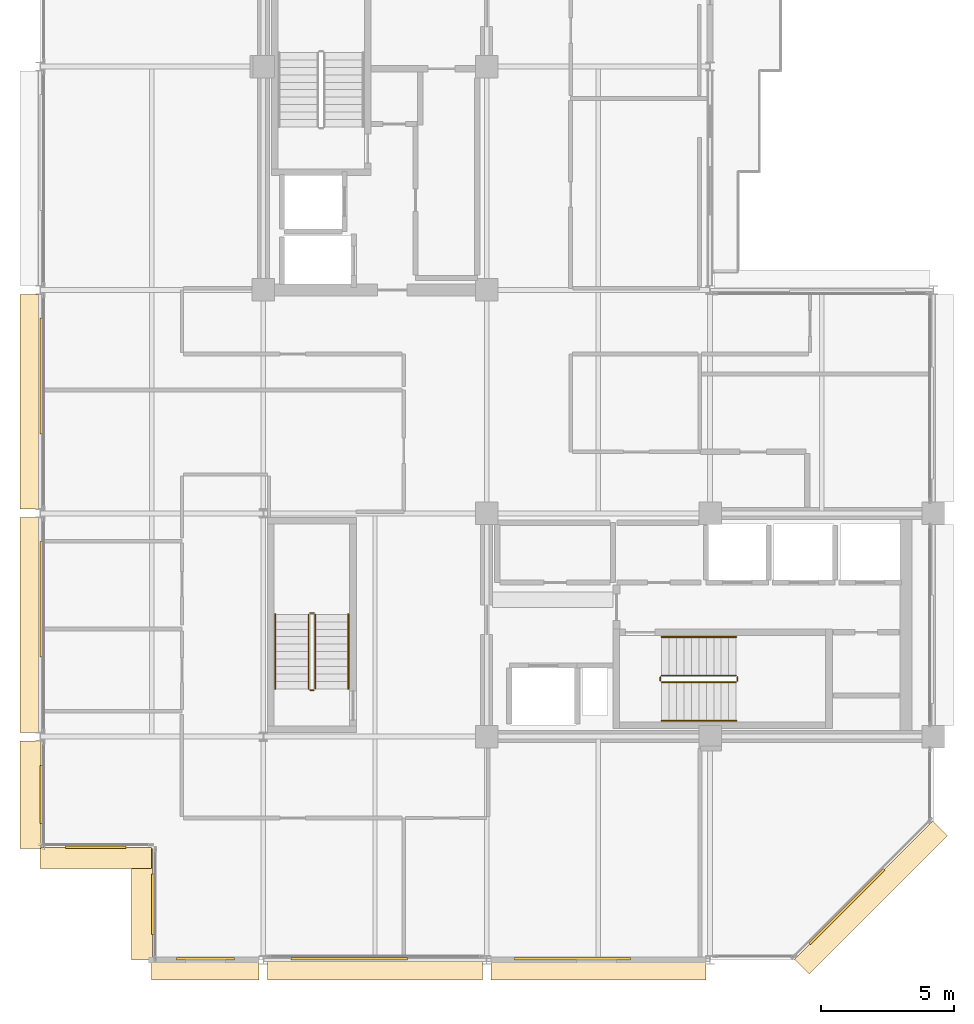
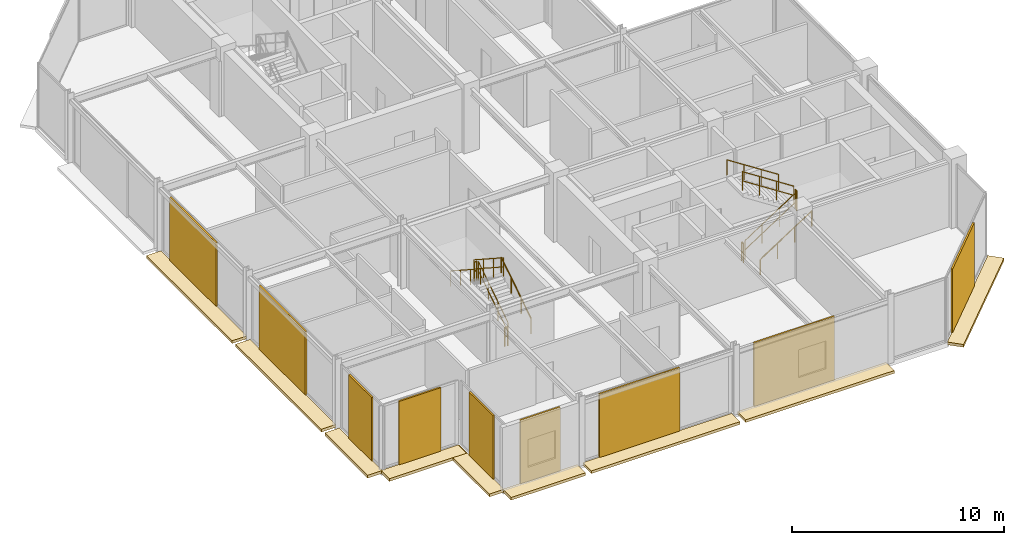
# One storey, part 23 of 25: 18 coverings, 12 railings.
"""IFC4 building model written with IfcOpenShell, lengths in metres."""

from ifc_helpers import new_model, si_unit, direction, frame, origin, origin_2d, place, context, subcontext, project, spatial, polyline, rectangle, circle, outline, extrude, material, layer, layer_set, type_object, element, save


model = new_model("IFC4")

# Units and contexts
model_context = context("Model", 3, precision=1e-05, world=origin(), true_north=direction((0.0, 1.0)))
body_context = subcontext(model_context, "Body", "Model", "MODEL_VIEW")
ifc_project = project(units=[si_unit("LENGTHUNIT", "METRE"), si_unit("AREAUNIT", "SQUARE_METRE"), si_unit("VOLUMEUNIT", "CUBIC_METRE"), si_unit("PLANEANGLEUNIT", "RADIAN"), si_unit("MASSUNIT", "GRAM", prefix="KILO")], contexts=[model_context])

# Site, building, storey
site_placement = place(None, origin())
site = spatial("IfcSite", under=ifc_project, at=site_placement, CompositionType="ELEMENT")
building_placement = place(site_placement, origin())
building = spatial("IfcBuilding", under=site, at=building_placement, Name="Nerrivon Quay Data Exchange", CompositionType="ELEMENT")
storey_placement = place(building_placement, frame((0.0, 0.0, 318.199951171875)))
storey = spatial("IfcBuildingStorey", under=building, at=storey_placement, Name="L76", CompositionType="ELEMENT", Elevation=318.199951171875)

# Coverings
ifc_material_1 = material(Name="Architectural terracotta ceramic", Category="masonry")
ifc_layer_1 = layer(ifc_material_1, 0.159912109375)
ifc_layer_set_1 = layer_set([ifc_layer_1], Name="Architectural terracotta ceramic")
covering_type_1 = type_object("IfcCoveringType", Name="COV-BLD-TERR", PredefinedType="CLADDING", material=ifc_layer_set_1)
covering_1_placement = place(storey_placement, frame((0.0, 0.0, -0.159912109375)))
element("IfcCovering", 1, at=covering_1_placement, inside=storey, type_object=covering_type_1, Name="L76 Horizontal Terracotta SOLAR SCREEN Blade", PredefinedType="CLADDING", context=body_context, shape_type="SweptSolid", body=[
    extrude(outline(polyline([(33.57177734375, 5.228271484375), (28.37158203125, 0.0283203125), (28.930419921875, -0.5302734375), (34.13037109375, 4.669677734375), (33.57177734375, 5.228271484375)])), origin(), (0.0, 0.0, 1.0), 0.159912109375),
])
covering_2_placement = place(storey_placement, frame((0.0, 0.0, -0.159912109375)))
element("IfcCovering", 2, at=covering_2_placement, inside=storey, type_object=covering_type_1, Name="L76 Horizontal Terracotta SOLAR SCREEN Blade", PredefinedType="CLADDING", context=body_context, shape_type="SweptSolid", body=[
    extrude(outline(polyline([(25.04443359375, 0.0400390625), (16.95556640625, 0.0400390625), (16.95556640625, -0.75), (25.04443359375, -0.75), (25.04443359375, 0.0400390625)])), origin(), (0.0, 0.0, 1.0), 0.159912109375),
])
covering_3_placement = place(storey_placement, frame((0.0, 0.0, -0.159912109375)))
element("IfcCovering", 3, at=covering_3_placement, inside=storey, type_object=covering_type_1, Name="L76 Horizontal Terracotta SOLAR SCREEN Blade", PredefinedType="CLADDING", context=body_context, shape_type="SweptSolid", body=[
    extrude(outline(polyline([(16.64453125, 0.0400390625), (8.555419921875, 0.0400390625), (8.555419921875, -0.75), (16.64453125, -0.75), (16.64453125, 0.0400390625)])), origin(), (0.0, 0.0, 1.0), 0.159912109375),
])
covering_4_placement = place(storey_placement, frame((0.0, 0.0, -0.159912109375)))
element("IfcCovering", 4, at=covering_4_placement, inside=storey, type_object=covering_type_1, Name="L76 Horizontal Terracotta SOLAR SCREEN Blade", PredefinedType="CLADDING", context=body_context, shape_type="SweptSolid", body=[
    extrude(outline(polyline([(8.244384765625, 0.0400390625), (4.199951171875, 0.0400390625), (4.199951171875, -0.75), (8.244384765625, -0.75), (8.244384765625, 0.0400390625)])), origin(), (0.0, 0.0, 1.0), 0.159912109375),
])
covering_5_placement = place(storey_placement, frame((0.0, 0.0, -0.159912109375)))
element("IfcCovering", 5, at=covering_5_placement, inside=storey, type_object=covering_type_1, Name="L76 Horizontal Terracotta SOLAR SCREEN Blade", PredefinedType="CLADDING", context=body_context, shape_type="SweptSolid", body=[
    extrude(outline(polyline([(4.239990234375, 0.0), (4.239990234375, 4.199951171875), (3.449951171875, 4.199951171875), (3.449951171875, 0.0), (4.239990234375, 0.0)])), origin(), (0.0, 0.0, 1.0), 0.159912109375),
])
covering_6_placement = place(storey_placement, frame((0.0, 0.0, -0.159912109375)))
element("IfcCovering", 6, at=covering_6_placement, inside=storey, type_object=covering_type_1, Name="L76 Horizontal Terracotta SOLAR SCREEN Blade", PredefinedType="CLADDING", context=body_context, shape_type="SweptSolid", body=[
    extrude(outline(polyline([(4.199951171875, 4.239990234375), (0.0, 4.239990234375), (0.0, 3.449951171875), (4.199951171875, 3.449951171875), (4.199951171875, 4.239990234375)])), origin(), (0.0, 0.0, 1.0), 0.159912109375),
])
covering_7_placement = place(storey_placement, frame((0.0, 0.0, -0.159912109375)))
element("IfcCovering", 7, at=covering_7_placement, inside=storey, type_object=covering_type_1, Name="L76 Horizontal Terracotta SOLAR SCREEN Blade", PredefinedType="CLADDING", context=body_context, shape_type="SweptSolid", body=[
    extrude(outline(polyline([(0.0400390625, 4.199951171875), (0.0400390625, 8.236572265625), (-0.75, 8.236572265625), (-0.75, 4.199951171875), (0.0400390625, 4.199951171875)])), origin(), (0.0, 0.0, 1.0), 0.159912109375),
])
covering_8_placement = place(storey_placement, frame((0.0, 0.0, -0.159912109375)))
element("IfcCovering", 8, at=covering_8_placement, inside=storey, type_object=covering_type_1, Name="L76 Horizontal Terracotta SOLAR SCREEN Blade", PredefinedType="CLADDING", context=body_context, shape_type="SweptSolid", body=[
    extrude(outline(polyline([(0.0400390625, 8.5634765625), (0.0400390625, 16.636474609375), (-0.75, 16.636474609375), (-0.75, 8.5634765625), (0.0400390625, 8.5634765625)])), origin(), (0.0, 0.0, 1.0), 0.159912109375),
])
covering_9_placement = place(storey_placement, frame((0.0, 0.0, -0.159912109375)))
element("IfcCovering", 9, at=covering_9_placement, inside=storey, type_object=covering_type_1, Name="L76 Horizontal Terracotta SOLAR SCREEN Blade", PredefinedType="CLADDING", context=body_context, shape_type="SweptSolid", body=[
    extrude(outline(polyline([(0.0400390625, 16.96337890625), (0.0400390625, 25.03662109375), (-0.75, 25.03662109375), (-0.75, 16.96337890625), (0.0400390625, 16.96337890625)])), origin(), (0.0, 0.0, 1.0), 0.159912109375),
])
ifc_layer_2 = layer(ifc_material_1, 0.090087890625)
ifc_layer_set_2 = layer_set([ifc_layer_2], Name="Architectural terracotta ceramic")
covering_type_2 = type_object("IfcCoveringType", Name="COV-SCR-TERR", PredefinedType="CLADDING", material=ifc_layer_set_2)
covering_10_placement = place(storey_placement, frame((30.34423828125, 2.0078125, 0.0), z_axis=(0.0, 0.0, 1.0), x_axis=(-0.707106781187, -0.707106781187, 0.0)))
element("IfcCovering", 10, at=covering_10_placement, inside=storey, type_object=covering_type_2, Name="L76 Perforated Terracotta SOLAR SCREEN Cassette", PredefinedType="CLADDING", context=body_context, shape_type="SweptSolid", body=[
    extrude(rectangle(XDim=3.970947265625, YDim=0.090087890625, at=origin_2d()), origin(), (0.0, 0.0, 1.0), 3.64990234375),
])
for number, where, z_axis, x_axis, name in (
    (11, (20.029296875, 0.044921875, 0.0), (0.0, 0.0, 1.0), (-1.0, 0.0, 0.0), "L76 Perforated Terracotta SOLAR SCREEN Cassette"),
    (12, (11.62939453125, 0.044921875, 0.0), (0.0, 0.0, 1.0), (-1.0, 0.0, 0.0), "L76 Perforated Terracotta SOLAR SCREEN Cassette"),
):
    element("IfcCovering", number, at=place(storey_placement, frame(where, z_axis=z_axis, x_axis=x_axis)), inside=storey, type_object=covering_type_2, Name=name, PredefinedType="CLADDING", context=body_context, shape_type="SweptSolid", body=[
        extrude(rectangle(XDim=4.367919921875, YDim=0.090087890625, at=origin_2d()), origin(), (0.0, 0.0, 1.0), 3.64990234375),
    ])
covering_11_placement = place(storey_placement, frame((6.222412109375, 0.044921875, 0.0), z_axis=(0.0, 0.0, 1.0), x_axis=(-1.0, 0.0, 0.0)))
element("IfcCovering", 13, at=covering_11_placement, inside=storey, type_object=covering_type_2, Name="L76 Perforated Terracotta SOLAR SCREEN Cassette", PredefinedType="CLADDING", context=body_context, shape_type="SweptSolid", body=[
    extrude(rectangle(XDim=2.18408203125, YDim=0.090087890625, at=origin_2d()), origin(), (0.0, 0.0, 1.0), 3.64990234375),
])
for number, where, z_axis, x_axis, name in (
    (14, (4.2451171875, 2.10009765625, 0.0), (0.0, 0.0, 1.0), (0.0, 1.0, 0.0), "L76 Perforated Terracotta SOLAR SCREEN Cassette"),
    (15, (2.10009765625, 4.2451171875, 0.0), (0.0, 0.0, 1.0), (-1.0, 0.0, 0.0), "L76 Perforated Terracotta SOLAR SCREEN Cassette"),
):
    element("IfcCovering", number, at=place(storey_placement, frame(where, z_axis=z_axis, x_axis=x_axis)), inside=storey, type_object=covering_type_2, Name=name, PredefinedType="CLADDING", context=body_context, shape_type="SweptSolid", body=[
        extrude(rectangle(XDim=2.26806640625, YDim=0.090087890625, at=origin_2d()), origin(), (0.0, 0.0, 1.0), 3.64990234375),
    ])
covering_12_placement = place(storey_placement, frame((0.044921875, 6.21826171875, 0.0), z_axis=(0.0, 0.0, 1.0), x_axis=(0.0, 1.0, 0.0)))
element("IfcCovering", 16, at=covering_12_placement, inside=storey, type_object=covering_type_2, Name="L76 Perforated Terracotta SOLAR SCREEN Cassette", PredefinedType="CLADDING", context=body_context, shape_type="SweptSolid", body=[
    extrude(rectangle(XDim=2.179931640625, YDim=0.090087890625, at=origin_2d()), origin(), (0.0, 0.0, 1.0), 3.64990234375),
])
for number, where, z_axis, x_axis, name in (
    (17, (0.044921875, 13.56884765625, 0.0), (0.0, 0.0, 1.0), (0.0, 1.0, 0.0), "L76 Perforated Terracotta SOLAR SCREEN Cassette"),
    (18, (0.044921875, 21.96875, 0.0), (0.0, 0.0, 1.0), (0.0, 1.0, 0.0), "L76 Perforated Terracotta SOLAR SCREEN Cassette"),
):
    element("IfcCovering", number, at=place(storey_placement, frame(where, z_axis=z_axis, x_axis=x_axis)), inside=storey, type_object=covering_type_2, Name=name, PredefinedType="CLADDING", context=body_context, shape_type="SweptSolid", body=[
        extrude(rectangle(XDim=4.35888671875, YDim=0.090087890625, at=origin_2d()), origin(), (0.0, 0.0, 1.0), 3.64990234375),
    ])

# Railings
ifc_material_2 = material(Name="Steel Grade C350L0 (350 MPa)", Category="steel")
railing_type_1 = type_object("IfcRailingType", Name="RAIL-HAND-HR1", PredefinedType="HANDRAIL", material=ifc_material_2)
railing_1_placement = place(storey_placement, frame((23.3798828125, 9.0, 0.181884765625)))
element("IfcRailing", 19, at=railing_1_placement, inside=storey, type_object=railing_type_1, Name="L76 ST02 stair handrail 1", PredefinedType="HANDRAIL", context=body_context, shape_type="SweptSolid", body=[
    extrude(circle(Radius=0.02392578125, at=origin_2d()), frame((0.0, 0.0, 0.8759765625), z_axis=(0.838705829183, 0.0, 0.544584733623), x_axis=(0.0, 1.0, 0.0)), (0.0, 0.0, 1.0), 3.338623046875),
    extrude(circle(Radius=0.02099609375, at=origin_2d()), origin(), (0.0, 0.0, 1.0), 0.851806640625),
    extrude(circle(Radius=0.02099609375, at=origin_2d()), frame((0.933349609375, 0.0, 0.60595703125)), (0.0, 0.0, 1.0), 0.851806640625),
    extrude(circle(Radius=0.02099609375, at=origin_2d()), frame((1.86669921875, 0.0, 1.212158203125)), (0.0, 0.0, 1.0), 0.851806640625),
    extrude(circle(Radius=0.02099609375, at=origin_2d()), frame((2.800048828125, 0.0, 1.818115234375)), (0.0, 0.0, 1.0), 0.851806640625),
])
railing_2_placement = place(storey_placement, frame((26.179931640625, 12.14990234375, 2.181884765625)))
element("IfcRailing", 20, at=railing_2_placement, inside=storey, type_object=railing_type_1, Name="L76 ST02 stair handrail 2", PredefinedType="HANDRAIL", context=body_context, shape_type="SweptSolid", body=[
    extrude(circle(Radius=0.02392578125, at=origin_2d()), frame((0.0, 0.0, 0.8759765625), z_axis=(-0.838705829183, 0.0, 0.544584733623), x_axis=(0.0, -1.0, 0.0)), (0.0, 0.0, 1.0), 3.338623046875),
    extrude(circle(Radius=0.02099609375, at=origin_2d()), origin(), (0.0, 0.0, 1.0), 0.851806640625),
    extrude(circle(Radius=0.02099609375, at=origin_2d()), frame((-0.933349609375, 0.0, 0.60595703125)), (0.0, 0.0, 1.0), 0.851806640625),
    extrude(circle(Radius=0.02099609375, at=origin_2d()), frame((-1.86669921875, 0.0, 1.212158203125)), (0.0, 0.0, 1.0), 0.851806640625),
    extrude(circle(Radius=0.02099609375, at=origin_2d()), frame((-2.800048828125, 0.0, 1.818115234375)), (0.0, 0.0, 1.0), 0.851806640625),
])
railing_3_placement = place(storey_placement, frame((11.60009765625, 10.199951171875, 0.181884765625)))
element("IfcRailing", 21, at=railing_3_placement, inside=storey, type_object=railing_type_1, Name="L76 ST08 stair handrail 1", PredefinedType="HANDRAIL", context=body_context, shape_type="SweptSolid", body=[
    extrude(circle(Radius=0.02392578125, at=origin_2d()), frame((0.0, 0.0, 0.8759765625), z_axis=(0.0, 0.838705829183, 0.544584733623), x_axis=(-1.0, 0.0, 0.0)), (0.0, 0.0, 1.0), 3.338623046875),
    extrude(circle(Radius=0.02099609375, at=origin_2d()), origin(), (0.0, 0.0, 1.0), 0.851806640625),
    extrude(circle(Radius=0.02099609375, at=origin_2d()), frame((0.0, 0.933349609375, 0.60595703125)), (0.0, 0.0, 1.0), 0.851806640625),
    extrude(circle(Radius=0.02099609375, at=origin_2d()), frame((0.0, 1.86669921875, 1.212158203125)), (0.0, 0.0, 1.0), 0.851806640625),
    extrude(circle(Radius=0.02099609375, at=origin_2d()), frame((0.0, 2.800048828125, 1.818115234375)), (0.0, 0.0, 1.0), 0.851806640625),
])
railing_4_placement = place(storey_placement, frame((8.85009765625, 13.0, 2.181884765625)))
element("IfcRailing", 22, at=railing_4_placement, inside=storey, type_object=railing_type_1, Name="L76 ST08 stair handrail 2", PredefinedType="HANDRAIL", context=body_context, shape_type="SweptSolid", body=[
    extrude(circle(Radius=0.02392578125, at=origin_2d()), frame((0.0, 0.0, 0.8759765625), z_axis=(0.0, -0.838705829183, 0.544584733623), x_axis=(1.0, 0.0, 0.0)), (0.0, 0.0, 1.0), 3.338623046875),
    extrude(circle(Radius=0.02099609375, at=origin_2d()), origin(), (0.0, 0.0, 1.0), 0.851806640625),
    extrude(circle(Radius=0.02099609375, at=origin_2d()), frame((0.0, -0.933349609375, 0.60595703125)), (0.0, 0.0, 1.0), 0.851806640625),
    extrude(circle(Radius=0.02099609375, at=origin_2d()), frame((0.0, -1.86669921875, 1.212158203125)), (0.0, 0.0, 1.0), 0.851806640625),
    extrude(circle(Radius=0.02099609375, at=origin_2d()), frame((0.0, -2.800048828125, 1.818115234375)), (0.0, 0.0, 1.0), 0.851806640625),
])
railing_type_2 = type_object("IfcRailingType", Name="RAIL-STAIR-GR1", PredefinedType="BALUSTRADE", material=ifc_material_2)
railing_5_placement = place(storey_placement, frame((23.3798828125, 10.449951171875, 0.181884765625)))
element("IfcRailing", 23, at=railing_5_placement, inside=storey, type_object=railing_type_2, Name="L76 ST02 stair guard 1", PredefinedType="BALUSTRADE", context=body_context, shape_type="SweptSolid", body=[
    extrude(circle(Radius=0.02392578125, at=origin_2d()), frame((0.0, 0.0, 1.076171875), z_axis=(0.838705829183, 0.0, 0.544584733623), x_axis=(0.0, 1.0, 0.0)), (0.0, 0.0, 1.0), 3.338623046875),
    extrude(circle(Radius=0.02392578125, at=origin_2d()), frame((0.0, 0.0, 0.550048828125), z_axis=(0.838705829183, 0.0, 0.544584733623), x_axis=(0.0, 1.0, 0.0)), (0.0, 0.0, 1.0), 3.338623046875),
    extrude(circle(Radius=0.02099609375, at=origin_2d()), origin(), (0.0, 0.0, 1.0), 1.052001953125),
    extrude(circle(Radius=0.02099609375, at=origin_2d()), frame((0.933349609375, 0.0, 0.60595703125)), (0.0, 0.0, 1.0), 1.052001953125),
    extrude(circle(Radius=0.02099609375, at=origin_2d()), frame((1.86669921875, 0.0, 1.212158203125)), (0.0, 0.0, 1.0), 1.052001953125),
    extrude(circle(Radius=0.02099609375, at=origin_2d()), frame((2.800048828125, 0.0, 1.818115234375)), (0.0, 0.0, 1.0), 1.052001953125),
])
railing_6_placement = place(storey_placement, frame((26.22998046875, 10.5, 2.0)))
element("IfcRailing", 24, at=railing_6_placement, inside=storey, type_object=railing_type_2, Name="L76 ST02 stair guard 2", PredefinedType="BALUSTRADE", context=body_context, shape_type="SweptSolid", body=[
    extrude(circle(Radius=0.02392578125, at=origin_2d()), frame((0.0, 0.0, 1.076171875), z_axis=(0.0, 1.0, 0.0), x_axis=(-1.0, 0.0, 0.0)), (0.0, 0.0, 1.0), 0.14990234375),
    extrude(circle(Radius=0.02392578125, at=origin_2d()), frame((0.0, 0.0, 0.550048828125), z_axis=(0.0, 1.0, 0.0), x_axis=(-1.0, 0.0, 0.0)), (0.0, 0.0, 1.0), 0.14990234375),
    extrude(circle(Radius=0.02099609375, at=origin_2d()), origin(), (0.0, 0.0, 1.0), 1.052001953125),
    extrude(circle(Radius=0.02099609375, at=origin_2d()), frame((0.0, 0.14990234375, 0.0)), (0.0, 0.0, 1.0), 1.052001953125),
])
railing_7_placement = place(storey_placement, frame((26.179931640625, 10.699951171875, 2.181884765625)))
element("IfcRailing", 25, at=railing_7_placement, inside=storey, type_object=railing_type_2, Name="L76 ST02 stair guard 3", PredefinedType="BALUSTRADE", context=body_context, shape_type="SweptSolid", body=[
    extrude(circle(Radius=0.02392578125, at=origin_2d()), frame((0.0, 0.0, 1.076171875), z_axis=(-0.838705829183, 0.0, 0.544584733623), x_axis=(0.0, -1.0, 0.0)), (0.0, 0.0, 1.0), 3.338623046875),
    extrude(circle(Radius=0.02392578125, at=origin_2d()), frame((0.0, 0.0, 0.550048828125), z_axis=(-0.838705829183, 0.0, 0.544584733623), x_axis=(0.0, -1.0, 0.0)), (0.0, 0.0, 1.0), 3.338623046875),
    extrude(circle(Radius=0.02099609375, at=origin_2d()), origin(), (0.0, 0.0, 1.0), 1.052001953125),
    extrude(circle(Radius=0.02099609375, at=origin_2d()), frame((-0.933349609375, 0.0, 0.60595703125)), (0.0, 0.0, 1.0), 1.052001953125),
    extrude(circle(Radius=0.02099609375, at=origin_2d()), frame((-1.86669921875, 0.0, 1.212158203125)), (0.0, 0.0, 1.0), 1.052001953125),
    extrude(circle(Radius=0.02099609375, at=origin_2d()), frame((-2.800048828125, 0.0, 1.818115234375)), (0.0, 0.0, 1.0), 1.052001953125),
])
railing_8_placement = place(storey_placement, frame((23.330078125, 10.5, 0.0)))
element("IfcRailing", 26, at=railing_8_placement, inside=storey, type_object=railing_type_2, Name="L76 ST02 stair guard 4", PredefinedType="BALUSTRADE", context=body_context, shape_type="SweptSolid", body=[
    extrude(circle(Radius=0.02392578125, at=origin_2d()), frame((0.0, 0.0, 1.076171875), z_axis=(0.0, 1.0, 0.0), x_axis=(-1.0, 0.0, 0.0)), (0.0, 0.0, 1.0), 0.14990234375),
    extrude(circle(Radius=0.02392578125, at=origin_2d()), frame((0.0, 0.0, 0.550048828125), z_axis=(0.0, 1.0, 0.0), x_axis=(-1.0, 0.0, 0.0)), (0.0, 0.0, 1.0), 0.14990234375),
    extrude(circle(Radius=0.02099609375, at=origin_2d()), origin(), (0.0, 0.0, 1.0), 1.052001953125),
    extrude(circle(Radius=0.02099609375, at=origin_2d()), frame((0.0, 0.14990234375, 0.0)), (0.0, 0.0, 1.0), 1.052001953125),
])
railing_9_placement = place(storey_placement, frame((10.35009765625, 10.199951171875, 0.181884765625)))
element("IfcRailing", 27, at=railing_9_placement, inside=storey, type_object=railing_type_2, Name="L76 ST08 stair guard 1", PredefinedType="BALUSTRADE", context=body_context, shape_type="SweptSolid", body=[
    extrude(circle(Radius=0.02392578125, at=origin_2d()), frame((0.0, 0.0, 1.076171875), z_axis=(0.0, 0.838705829183, 0.544584733623), x_axis=(-1.0, 0.0, 0.0)), (0.0, 0.0, 1.0), 3.338623046875),
    extrude(circle(Radius=0.02392578125, at=origin_2d()), frame((0.0, 0.0, 0.550048828125), z_axis=(0.0, 0.838705829183, 0.544584733623), x_axis=(-1.0, 0.0, 0.0)), (0.0, 0.0, 1.0), 3.338623046875),
    extrude(circle(Radius=0.02099609375, at=origin_2d()), origin(), (0.0, 0.0, 1.0), 1.052001953125),
    extrude(circle(Radius=0.02099609375, at=origin_2d()), frame((0.0, 0.933349609375, 0.60595703125)), (0.0, 0.0, 1.0), 1.052001953125),
    extrude(circle(Radius=0.02099609375, at=origin_2d()), frame((0.0, 1.86669921875, 1.212158203125)), (0.0, 0.0, 1.0), 1.052001953125),
    extrude(circle(Radius=0.02099609375, at=origin_2d()), frame((0.0, 2.800048828125, 1.818115234375)), (0.0, 0.0, 1.0), 1.052001953125),
])
railing_10_placement = place(storey_placement, frame((10.300048828125, 13.050048828125, 2.0)))
element("IfcRailing", 28, at=railing_10_placement, inside=storey, type_object=railing_type_2, Name="L76 ST08 stair guard 2", PredefinedType="BALUSTRADE", context=body_context, shape_type="SweptSolid", body=[
    extrude(circle(Radius=0.02392578125, at=origin_2d()), frame((0.0, 0.0, 1.076171875), z_axis=(-1.0, 0.0, 0.0), x_axis=(0.0, -1.0, 0.0)), (0.0, 0.0, 1.0), 0.150146484375),
    extrude(circle(Radius=0.02392578125, at=origin_2d()), frame((0.0, 0.0, 0.550048828125), z_axis=(-1.0, 0.0, 0.0), x_axis=(0.0, -1.0, 0.0)), (0.0, 0.0, 1.0), 0.150146484375),
    extrude(circle(Radius=0.02099609375, at=origin_2d()), origin(), (0.0, 0.0, 1.0), 1.052001953125),
    extrude(circle(Radius=0.02099609375, at=origin_2d()), frame((-0.150146484375, 0.0, 0.0)), (0.0, 0.0, 1.0), 1.052001953125),
])
railing_11_placement = place(storey_placement, frame((10.10009765625, 13.0, 2.181884765625)))
element("IfcRailing", 29, at=railing_11_placement, inside=storey, type_object=railing_type_2, Name="L76 ST08 stair guard 3", PredefinedType="BALUSTRADE", context=body_context, shape_type="SweptSolid", body=[
    extrude(circle(Radius=0.02392578125, at=origin_2d()), frame((0.0, 0.0, 1.076171875), z_axis=(0.0, -0.838705829183, 0.544584733623), x_axis=(1.0, 0.0, 0.0)), (0.0, 0.0, 1.0), 3.338623046875),
    extrude(circle(Radius=0.02392578125, at=origin_2d()), frame((0.0, 0.0, 0.550048828125), z_axis=(0.0, -0.838705829183, 0.544584733623), x_axis=(1.0, 0.0, 0.0)), (0.0, 0.0, 1.0), 3.338623046875),
    extrude(circle(Radius=0.02099609375, at=origin_2d()), origin(), (0.0, 0.0, 1.0), 1.052001953125),
    extrude(circle(Radius=0.02099609375, at=origin_2d()), frame((0.0, -0.933349609375, 0.60595703125)), (0.0, 0.0, 1.0), 1.052001953125),
    extrude(circle(Radius=0.02099609375, at=origin_2d()), frame((0.0, -1.86669921875, 1.212158203125)), (0.0, 0.0, 1.0), 1.052001953125),
    extrude(circle(Radius=0.02099609375, at=origin_2d()), frame((0.0, -2.800048828125, 1.818115234375)), (0.0, 0.0, 1.0), 1.052001953125),
])
railing_12_placement = place(storey_placement, frame((10.300048828125, 10.14990234375, 0.0)))
element("IfcRailing", 30, at=railing_12_placement, inside=storey, type_object=railing_type_2, Name="L76 ST08 stair guard 4", PredefinedType="BALUSTRADE", context=body_context, shape_type="SweptSolid", body=[
    extrude(circle(Radius=0.02392578125, at=origin_2d()), frame((0.0, 0.0, 1.076171875), z_axis=(-1.0, 0.0, 0.0), x_axis=(0.0, -1.0, 0.0)), (0.0, 0.0, 1.0), 0.150146484375),
    extrude(circle(Radius=0.02392578125, at=origin_2d()), frame((0.0, 0.0, 0.550048828125), z_axis=(-1.0, 0.0, 0.0), x_axis=(0.0, -1.0, 0.0)), (0.0, 0.0, 1.0), 0.150146484375),
    extrude(circle(Radius=0.02099609375, at=origin_2d()), origin(), (0.0, 0.0, 1.0), 1.052001953125),
    extrude(circle(Radius=0.02099609375, at=origin_2d()), frame((-0.150146484375, 0.0, 0.0)), (0.0, 0.0, 1.0), 1.052001953125),
])

save(model, "model.ifc")
